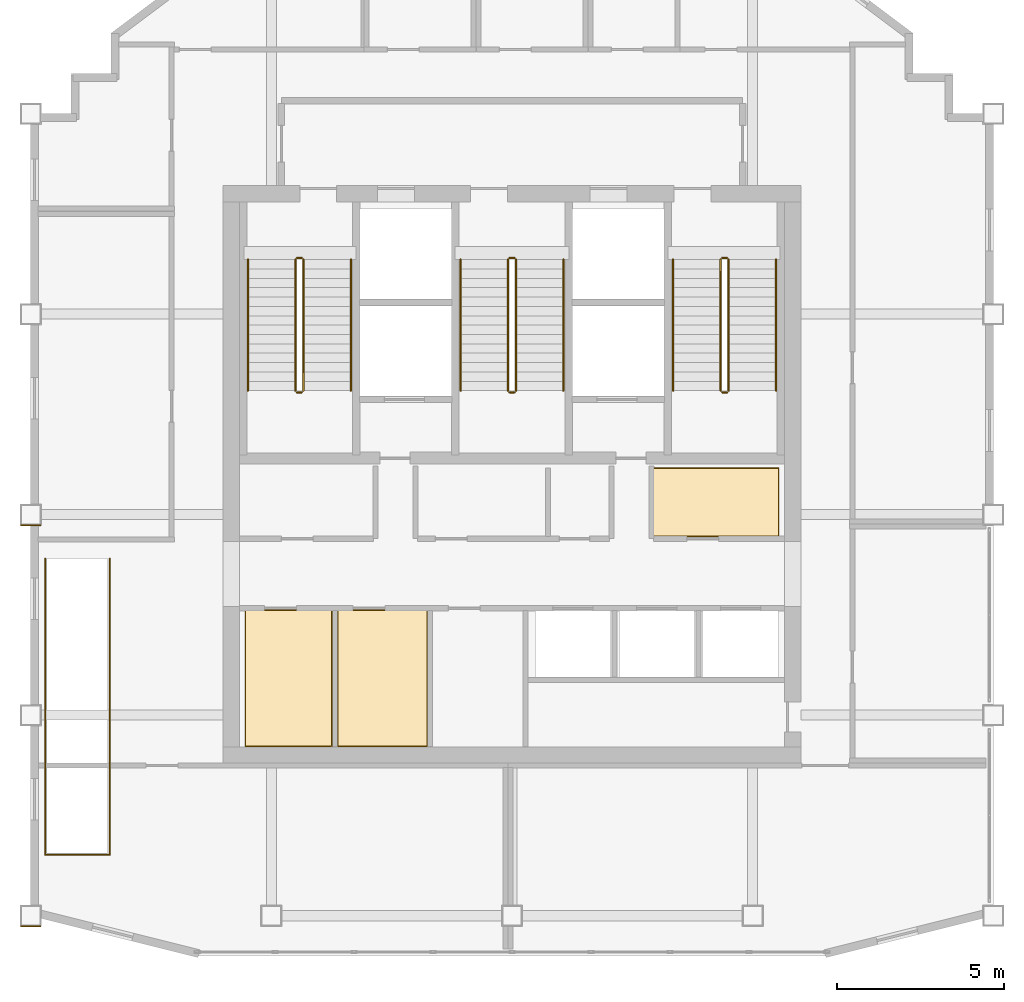
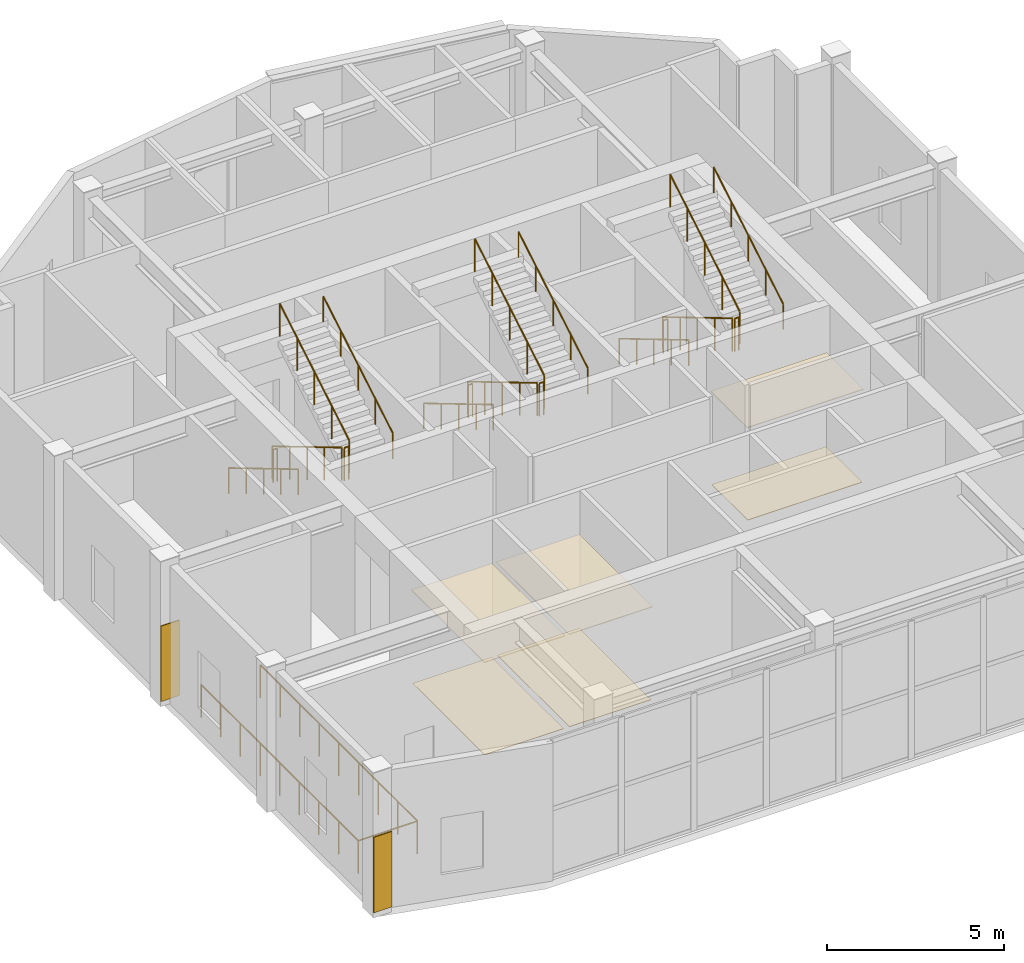
# One storey, part 10 of 11: 19 railings, 8 coverings.
"""IFC4 building model written with IfcOpenShell, lengths in metres."""

from ifc_helpers import new_model, si_unit, direction, frame, origin, origin_2d, place, context, subcontext, project, spatial, polyline, rectangle, circle, outline, extrude, material, layer, layer_set, type_object, element, save


model = new_model("IFC4")

# Units and contexts
model_context = context("Model", 3, precision=1e-05, world=origin(), true_north=direction((0.0, 1.0)))
body_context = subcontext(model_context, "Body", "Model", "MODEL_VIEW")
ifc_project = project(units=[si_unit("LENGTHUNIT", "METRE"), si_unit("AREAUNIT", "SQUARE_METRE"), si_unit("VOLUMEUNIT", "CUBIC_METRE"), si_unit("PLANEANGLEUNIT", "RADIAN"), si_unit("MASSUNIT", "GRAM", prefix="KILO")], contexts=[model_context])

# Site, building, storey
site_placement = place(None, origin())
site = spatial("IfcSite", under=ifc_project, at=site_placement, CompositionType="ELEMENT")
building_placement = place(site_placement, origin())
building = spatial("IfcBuilding", under=site, at=building_placement, Name="Haolan Belvedere Tower", CompositionType="ELEMENT")
storey_placement = place(building_placement, frame((0.0, 0.0, 323.199951171875)))
storey = spatial("IfcBuildingStorey", under=building, at=storey_placement, Name="L81", CompositionType="ELEMENT", Elevation=323.199951171875)

# Coverings
ifc_material_1 = material(Name="Acoustic mineral-fibre suspended ceiling system", Category="masonry")
ifc_layer_1 = layer(ifc_material_1, 0.02490234375, Name="Acoustic mineral-fibre suspended ceiling system")
ifc_layer_set_1 = layer_set([ifc_layer_1], Name="Acoustic mineral-fibre suspended ceiling system")
covering_type_1 = type_object("IfcCoveringType", Name="COV-CEIL-AC25", PredefinedType="CEILING", material=ifc_layer_set_1)
covering_1_placement = place(storey_placement, frame((0.0, 0.0, 3.199951171875)))
element("IfcCovering", 1, at=covering_1_placement, inside=storey, type_object=covering_type_1, Name="L81 suspended acoustic ceiling L81-REUSE-PH23.1", PredefinedType="CEILING", context=body_context, shape_type="SweptSolid", body=[
    extrude(outline(polyline([(42.60791015625, 32.93798828125), (46.39208984375, 32.93798828125), (46.39208984375, 35.011962890625), (42.60791015625, 35.011962890625), (42.60791015625, 32.93798828125)])), origin(), (0.0, 0.0, 1.0), 0.025146484375),
])
covering_2_placement = place(storey_placement, frame((0.0, 0.0, 3.199951171875)))
element("IfcCovering", 2, at=covering_2_placement, inside=storey, type_object=covering_type_1, Name="L81 suspended acoustic ceiling L81-REUSE-PM-A.2", PredefinedType="CEILING", context=body_context, shape_type="SweptSolid", body=[
    extrude(outline(polyline([(30.407958984375, 26.64794921875), (33.031982421875, 26.64794921875), (33.031982421875, 30.761962890625), (30.407958984375, 30.761962890625), (30.407958984375, 26.64794921875)])), origin(), (0.0, 0.0, 1.0), 0.025146484375),
])
covering_3_placement = place(storey_placement, frame((0.0, 0.0, 3.199951171875)))
element("IfcCovering", 3, at=covering_3_placement, inside=storey, type_object=covering_type_1, Name="L81 suspended acoustic ceiling L81-REUSE-PM-B.3", PredefinedType="CEILING", context=body_context, shape_type="SweptSolid", body=[
    extrude(outline(polyline([(33.16796875, 26.64794921875), (35.882080078125, 26.64794921875), (35.882080078125, 30.761962890625), (33.16796875, 30.761962890625), (33.16796875, 26.64794921875)])), origin(), (0.0, 0.0, 1.0), 0.025146484375),
])
ifc_material_2 = material(Name="Pale champagne-silver anodised aluminium rainscreen cladding", Category="aluminium")
ifc_layer_2 = layer(ifc_material_2, 0.034912109375, Name="Pale champagne-silver anodised aluminium rainscreen cladding")
ifc_layer_set_2 = layer_set([ifc_layer_2], Name="Pale champagne-silver anodised aluminium rainscreen cladding")
covering_type_2 = type_object("IfcCoveringType", Name="COV-CLAD-35", PredefinedType="CLADDING", material=ifc_layer_set_2)
for number, where, z_axis, x_axis, name in (
    (4, (24.0, 21.284912109375, 0.199951171875), (0.0, 0.0, 1.0), (1.0, 0.0, 0.0), "L81 pale-metal pier rainscreen cladding 1"),
    (5, (24.0, 33.284912109375, 0.199951171875), (0.0, 0.0, 1.0), (1.0, 0.0, 0.0), "L81 pale-metal pier rainscreen cladding 2"),
):
    element("IfcCovering", number, at=place(storey_placement, frame(where, z_axis=z_axis, x_axis=x_axis)), inside=storey, type_object=covering_type_2, Name=name, PredefinedType="CLADDING", context=body_context, shape_type="SweptSolid", body=[
        extrude(rectangle(XDim=0.60009765625, YDim=0.034912109375, at=origin_2d()), origin(), (0.0, 0.0, 1.0), 2.60009765625),
    ])
ifc_material_3 = material(Name="Honed terrazzo and natural granite stone flooring", Category="masonry")
ifc_layer_3 = layer(ifc_material_3, 0.014892578125, Name="Honed terrazzo and natural granite stone flooring")
ifc_layer_set_3 = layer_set([ifc_layer_3], Name="Honed terrazzo and natural granite stone flooring")
covering_type_3 = type_object("IfcCoveringType", Name="COV-FLR-STN30", PredefinedType="FLOORING", material=ifc_layer_set_3)
covering_4_placement = place(storey_placement, origin())
element("IfcCovering", 6, at=covering_4_placement, inside=storey, type_object=covering_type_3, Name="L81 polished stone floor finish L81-REUSE-PH23.1", PredefinedType="FLOORING", context=body_context, shape_type="SweptSolid", body=[
    extrude(outline(polyline([(46.366943359375, 32.962890625), (46.366943359375, 34.987060546875), (42.633056640625, 34.987060546875), (42.633056640625, 32.962890625), (46.366943359375, 32.962890625)])), origin(), (0.0, 0.0, 1.0), 0.01513671875),
])
covering_5_placement = place(storey_placement, origin())
element("IfcCovering", 7, at=covering_5_placement, inside=storey, type_object=covering_type_3, Name="L81 polished stone floor finish L81-REUSE-PM-A.2", PredefinedType="FLOORING", context=body_context, shape_type="SweptSolid", body=[
    extrude(outline(polyline([(33.007080078125, 26.673095703125), (33.007080078125, 30.737060546875), (30.43310546875, 30.737060546875), (30.43310546875, 26.673095703125), (33.007080078125, 26.673095703125)])), origin(), (0.0, 0.0, 1.0), 0.01513671875),
])
covering_6_placement = place(storey_placement, origin())
element("IfcCovering", 8, at=covering_6_placement, inside=storey, type_object=covering_type_3, Name="L81 polished stone floor finish L81-REUSE-PM-B.3", PredefinedType="FLOORING", context=body_context, shape_type="SweptSolid", body=[
    extrude(outline(polyline([(35.85693359375, 26.673095703125), (35.85693359375, 30.737060546875), (33.193115234375, 30.737060546875), (33.193115234375, 26.673095703125), (35.85693359375, 26.673095703125)])), origin(), (0.0, 0.0, 1.0), 0.01513671875),
])

# Railings
ifc_material_4 = material(Name="Brushed stainless steel 304", Category="steel")
railing_type_1 = type_object("IfcRailingType", Name="RL-STAIR-GRD-1150", PredefinedType="GUARDRAIL", material=ifc_material_4)
railing_1_placement = place(storey_placement, frame((31.919921875, 41.22998046875, 0.166748046875)))
element("IfcRailing", 9, at=railing_1_placement, inside=storey, type_object=railing_type_1, Name="L81 ST1 stair guard 1", PredefinedType="GUARDRAIL", context=body_context, shape_type="SweptSolid", body=[
    extrude(circle(Radius=0.02392578125, at=origin_2d()), frame((0.0, 0.0, 1.1259765625), z_axis=(0.0, -0.859296244711, 0.511478214419), x_axis=(1.0, 0.0, 0.0)), (0.0, 0.0, 1.0), 4.561767578125),
    extrude(circle(Radius=0.02099609375, at=origin_2d()), origin(), (0.0, 0.0, 1.0), 1.101806640625),
    extrude(circle(Radius=0.02099609375, at=origin_2d()), frame((0.0, -0.97998046875, 0.583251953125)), (0.0, 0.0, 1.0), 1.101806640625),
    extrude(circle(Radius=0.02099609375, at=origin_2d()), frame((0.0, -1.9599609375, 1.16650390625)), (0.0, 0.0, 1.0), 1.101806640625),
    extrude(circle(Radius=0.02099609375, at=origin_2d()), frame((0.0, -2.93994140625, 1.75)), (0.0, 0.0, 1.0), 1.101806640625),
    extrude(circle(Radius=0.02099609375, at=origin_2d()), frame((0.0, -3.919921875, 2.333251953125)), (0.0, 0.0, 1.0), 1.101806640625),
])
railing_2_placement = place(storey_placement, frame((31.969970703125, 37.260009765625, 2.5)))
element("IfcRailing", 10, at=railing_2_placement, inside=storey, type_object=railing_type_1, Name="L81 ST1 stair guard 2", PredefinedType="GUARDRAIL", context=body_context, shape_type="SweptSolid", body=[
    extrude(circle(Radius=0.02392578125, at=origin_2d()), frame((0.0, 0.0, 1.1259765625), z_axis=(1.0, 0.0, 0.0), x_axis=(0.0, 1.0, 0.0)), (0.0, 0.0, 1.0), 0.14013671875),
    extrude(circle(Radius=0.02099609375, at=origin_2d()), origin(), (0.0, 0.0, 1.0), 1.101806640625),
    extrude(circle(Radius=0.02099609375, at=origin_2d()), frame((0.14013671875, 0.0, 0.0)), (0.0, 0.0, 1.0), 1.101806640625),
])
railing_3_placement = place(storey_placement, frame((32.159912109375, 37.31005859375, 2.666748046875)))
element("IfcRailing", 11, at=railing_3_placement, inside=storey, type_object=railing_type_1, Name="L81 ST1 stair guard 3", PredefinedType="GUARDRAIL", context=body_context, shape_type="SweptSolid", body=[
    extrude(circle(Radius=0.02392578125, at=origin_2d()), frame((0.0, 0.0, 1.1259765625), z_axis=(0.0, 0.859296244711, 0.511478214419), x_axis=(-1.0, 0.0, 0.0)), (0.0, 0.0, 1.0), 4.561767578125),
    extrude(circle(Radius=0.02099609375, at=origin_2d()), origin(), (0.0, 0.0, 1.0), 1.101806640625),
    extrude(circle(Radius=0.02099609375, at=origin_2d()), frame((0.0, 0.97998046875, 0.583251953125)), (0.0, 0.0, 1.0), 1.101806640625),
    extrude(circle(Radius=0.02099609375, at=origin_2d()), frame((0.0, 1.9599609375, 1.16650390625)), (0.0, 0.0, 1.0), 1.101806640625),
    extrude(circle(Radius=0.02099609375, at=origin_2d()), frame((0.0, 2.93994140625, 1.75)), (0.0, 0.0, 1.0), 1.101806640625),
    extrude(circle(Radius=0.02099609375, at=origin_2d()), frame((0.0, 3.919921875, 2.333251953125)), (0.0, 0.0, 1.0), 1.101806640625),
])
railing_4_placement = place(storey_placement, frame((31.969970703125, 41.280029296875, 0.0)))
element("IfcRailing", 12, at=railing_4_placement, inside=storey, type_object=railing_type_1, Name="L81 ST1 stair guard 4", PredefinedType="GUARDRAIL", context=body_context, shape_type="SweptSolid", body=[
    extrude(circle(Radius=0.02392578125, at=origin_2d()), frame((0.0, 0.0, 1.1259765625), z_axis=(1.0, 0.0, 0.0), x_axis=(0.0, 1.0, 0.0)), (0.0, 0.0, 1.0), 0.14013671875),
    extrude(circle(Radius=0.02099609375, at=origin_2d()), origin(), (0.0, 0.0, 1.0), 1.101806640625),
    extrude(circle(Radius=0.02099609375, at=origin_2d()), frame((0.14013671875, 0.0, 0.0)), (0.0, 0.0, 1.0), 1.101806640625),
])
railing_5_placement = place(storey_placement, frame((38.280029296875, 41.22998046875, 0.166748046875)))
element("IfcRailing", 13, at=railing_5_placement, inside=storey, type_object=railing_type_1, Name="L81 ST3 stair guard 1", PredefinedType="GUARDRAIL", context=body_context, shape_type="SweptSolid", body=[
    extrude(circle(Radius=0.02392578125, at=origin_2d()), frame((0.0, 0.0, 1.1259765625), z_axis=(0.0, -0.859296244711, 0.511478214419), x_axis=(1.0, 0.0, 0.0)), (0.0, 0.0, 1.0), 4.561767578125),
    extrude(circle(Radius=0.02099609375, at=origin_2d()), origin(), (0.0, 0.0, 1.0), 1.101806640625),
    extrude(circle(Radius=0.02099609375, at=origin_2d()), frame((0.0, -0.97998046875, 0.583251953125)), (0.0, 0.0, 1.0), 1.101806640625),
    extrude(circle(Radius=0.02099609375, at=origin_2d()), frame((0.0, -1.9599609375, 1.16650390625)), (0.0, 0.0, 1.0), 1.101806640625),
    extrude(circle(Radius=0.02099609375, at=origin_2d()), frame((0.0, -2.93994140625, 1.75)), (0.0, 0.0, 1.0), 1.101806640625),
    extrude(circle(Radius=0.02099609375, at=origin_2d()), frame((0.0, -3.919921875, 2.333251953125)), (0.0, 0.0, 1.0), 1.101806640625),
])
railing_6_placement = place(storey_placement, frame((38.330078125, 37.260009765625, 2.5)))
element("IfcRailing", 14, at=railing_6_placement, inside=storey, type_object=railing_type_1, Name="L81 ST3 stair guard 2", PredefinedType="GUARDRAIL", context=body_context, shape_type="SweptSolid", body=[
    extrude(circle(Radius=0.02392578125, at=origin_2d()), frame((0.0, 0.0, 1.1259765625), z_axis=(1.0, 0.0, 0.0), x_axis=(0.0, 1.0, 0.0)), (0.0, 0.0, 1.0), 0.139892578125),
    extrude(circle(Radius=0.02099609375, at=origin_2d()), origin(), (0.0, 0.0, 1.0), 1.101806640625),
    extrude(circle(Radius=0.02099609375, at=origin_2d()), frame((0.139892578125, 0.0, 0.0)), (0.0, 0.0, 1.0), 1.101806640625),
])
railing_7_placement = place(storey_placement, frame((38.52001953125, 37.31005859375, 2.666748046875)))
element("IfcRailing", 15, at=railing_7_placement, inside=storey, type_object=railing_type_1, Name="L81 ST3 stair guard 3", PredefinedType="GUARDRAIL", context=body_context, shape_type="SweptSolid", body=[
    extrude(circle(Radius=0.02392578125, at=origin_2d()), frame((0.0, 0.0, 1.1259765625), z_axis=(0.0, 0.859296244711, 0.511478214419), x_axis=(-1.0, 0.0, 0.0)), (0.0, 0.0, 1.0), 4.561767578125),
    extrude(circle(Radius=0.02099609375, at=origin_2d()), origin(), (0.0, 0.0, 1.0), 1.101806640625),
    extrude(circle(Radius=0.02099609375, at=origin_2d()), frame((0.0, 0.97998046875, 0.583251953125)), (0.0, 0.0, 1.0), 1.101806640625),
    extrude(circle(Radius=0.02099609375, at=origin_2d()), frame((0.0, 1.9599609375, 1.16650390625)), (0.0, 0.0, 1.0), 1.101806640625),
    extrude(circle(Radius=0.02099609375, at=origin_2d()), frame((0.0, 2.93994140625, 1.75)), (0.0, 0.0, 1.0), 1.101806640625),
    extrude(circle(Radius=0.02099609375, at=origin_2d()), frame((0.0, 3.919921875, 2.333251953125)), (0.0, 0.0, 1.0), 1.101806640625),
])
railing_8_placement = place(storey_placement, frame((38.330078125, 41.280029296875, 0.0)))
element("IfcRailing", 16, at=railing_8_placement, inside=storey, type_object=railing_type_1, Name="L81 ST3 stair guard 4", PredefinedType="GUARDRAIL", context=body_context, shape_type="SweptSolid", body=[
    extrude(circle(Radius=0.02392578125, at=origin_2d()), frame((0.0, 0.0, 1.1259765625), z_axis=(1.0, 0.0, 0.0), x_axis=(0.0, 1.0, 0.0)), (0.0, 0.0, 1.0), 0.139892578125),
    extrude(circle(Radius=0.02099609375, at=origin_2d()), origin(), (0.0, 0.0, 1.0), 1.101806640625),
    extrude(circle(Radius=0.02099609375, at=origin_2d()), frame((0.139892578125, 0.0, 0.0)), (0.0, 0.0, 1.0), 1.101806640625),
])
railing_9_placement = place(storey_placement, frame((44.639892578125, 41.22998046875, 0.166748046875)))
element("IfcRailing", 17, at=railing_9_placement, inside=storey, type_object=railing_type_1, Name="L81 ST2 stair guard 1", PredefinedType="GUARDRAIL", context=body_context, shape_type="SweptSolid", body=[
    extrude(circle(Radius=0.02392578125, at=origin_2d()), frame((0.0, 0.0, 1.1259765625), z_axis=(0.0, -0.859296244711, 0.511478214419), x_axis=(1.0, 0.0, 0.0)), (0.0, 0.0, 1.0), 4.561767578125),
    extrude(circle(Radius=0.02099609375, at=origin_2d()), origin(), (0.0, 0.0, 1.0), 1.101806640625),
    extrude(circle(Radius=0.02099609375, at=origin_2d()), frame((0.0, -0.97998046875, 0.583251953125)), (0.0, 0.0, 1.0), 1.101806640625),
    extrude(circle(Radius=0.02099609375, at=origin_2d()), frame((0.0, -1.9599609375, 1.16650390625)), (0.0, 0.0, 1.0), 1.101806640625),
    extrude(circle(Radius=0.02099609375, at=origin_2d()), frame((0.0, -2.93994140625, 1.75)), (0.0, 0.0, 1.0), 1.101806640625),
    extrude(circle(Radius=0.02099609375, at=origin_2d()), frame((0.0, -3.919921875, 2.333251953125)), (0.0, 0.0, 1.0), 1.101806640625),
])
railing_10_placement = place(storey_placement, frame((44.68994140625, 37.260009765625, 2.5)))
element("IfcRailing", 18, at=railing_10_placement, inside=storey, type_object=railing_type_1, Name="L81 ST2 stair guard 2", PredefinedType="GUARDRAIL", context=body_context, shape_type="SweptSolid", body=[
    extrude(circle(Radius=0.02392578125, at=origin_2d()), frame((0.0, 0.0, 1.1259765625), z_axis=(1.0, 0.0, 0.0), x_axis=(0.0, 1.0, 0.0)), (0.0, 0.0, 1.0), 0.14013671875),
    extrude(circle(Radius=0.02099609375, at=origin_2d()), origin(), (0.0, 0.0, 1.0), 1.101806640625),
    extrude(circle(Radius=0.02099609375, at=origin_2d()), frame((0.14013671875, 0.0, 0.0)), (0.0, 0.0, 1.0), 1.101806640625),
])
railing_11_placement = place(storey_placement, frame((44.8798828125, 37.31005859375, 2.666748046875)))
element("IfcRailing", 19, at=railing_11_placement, inside=storey, type_object=railing_type_1, Name="L81 ST2 stair guard 3", PredefinedType="GUARDRAIL", context=body_context, shape_type="SweptSolid", body=[
    extrude(circle(Radius=0.02392578125, at=origin_2d()), frame((0.0, 0.0, 1.1259765625), z_axis=(0.0, 0.859296244711, 0.511478214419), x_axis=(-1.0, 0.0, 0.0)), (0.0, 0.0, 1.0), 4.561767578125),
    extrude(circle(Radius=0.02099609375, at=origin_2d()), origin(), (0.0, 0.0, 1.0), 1.101806640625),
    extrude(circle(Radius=0.02099609375, at=origin_2d()), frame((0.0, 0.97998046875, 0.583251953125)), (0.0, 0.0, 1.0), 1.101806640625),
    extrude(circle(Radius=0.02099609375, at=origin_2d()), frame((0.0, 1.9599609375, 1.16650390625)), (0.0, 0.0, 1.0), 1.101806640625),
    extrude(circle(Radius=0.02099609375, at=origin_2d()), frame((0.0, 2.93994140625, 1.75)), (0.0, 0.0, 1.0), 1.101806640625),
    extrude(circle(Radius=0.02099609375, at=origin_2d()), frame((0.0, 3.919921875, 2.333251953125)), (0.0, 0.0, 1.0), 1.101806640625),
])
railing_12_placement = place(storey_placement, frame((44.68994140625, 41.280029296875, 0.0)))
element("IfcRailing", 20, at=railing_12_placement, inside=storey, type_object=railing_type_1, Name="L81 ST2 stair guard 4", PredefinedType="GUARDRAIL", context=body_context, shape_type="SweptSolid", body=[
    extrude(circle(Radius=0.02392578125, at=origin_2d()), frame((0.0, 0.0, 1.1259765625), z_axis=(1.0, 0.0, 0.0), x_axis=(0.0, 1.0, 0.0)), (0.0, 0.0, 1.0), 0.14013671875),
    extrude(circle(Radius=0.02099609375, at=origin_2d()), origin(), (0.0, 0.0, 1.0), 1.101806640625),
    extrude(circle(Radius=0.02099609375, at=origin_2d()), frame((0.14013671875, 0.0, 0.0)), (0.0, 0.0, 1.0), 1.101806640625),
])
railing_13_placement = place(storey_placement, frame((24.43505859375, 32.284912109375, 0.0)))
element("IfcRailing", 21, at=railing_13_placement, inside=storey, type_object=railing_type_1, Name="L81 ST10 upper well perimeter guard", PredefinedType="GUARDRAIL", context=body_context, shape_type="SweptSolid", body=[
    extrude(circle(Radius=0.02392578125, at=origin_2d()), frame((0.0, 0.0, 1.1259765625), z_axis=(0.0, -1.0, 0.0), x_axis=(1.0, 0.0, 0.0)), (0.0, 0.0, 1.0), 8.864990234375),
    extrude(circle(Radius=0.02392578125, at=origin_2d()), frame((0.0, -8.864990234375, 1.1259765625), z_axis=(1.0, 0.0, 0.0), x_axis=(0.0, 1.0, 0.0)), (0.0, 0.0, 1.0), 1.929931640625),
    extrude(circle(Radius=0.02392578125, at=origin_2d()), frame((1.929931640625, -8.864990234375, 1.1259765625), z_axis=(0.0, 1.0, 0.0), x_axis=(-1.0, 0.0, 0.0)), (0.0, 0.0, 1.0), 8.864990234375),
    extrude(circle(Radius=0.02099609375, at=origin_2d()), origin(), (0.0, 0.0, 1.0), 1.101806640625),
    extrude(circle(Radius=0.02099609375, at=origin_2d()), frame((0.0, -1.108154296875, 0.0)), (0.0, 0.0, 1.0), 1.101806640625),
    extrude(circle(Radius=0.02099609375, at=origin_2d()), frame((0.0, -2.21630859375, 0.0)), (0.0, 0.0, 1.0), 1.101806640625),
    extrude(circle(Radius=0.02099609375, at=origin_2d()), frame((0.0, -3.324462890625, 0.0)), (0.0, 0.0, 1.0), 1.101806640625),
    extrude(circle(Radius=0.02099609375, at=origin_2d()), frame((0.0, -4.4326171875, 0.0)), (0.0, 0.0, 1.0), 1.101806640625),
    extrude(circle(Radius=0.02099609375, at=origin_2d()), frame((0.0, -5.54052734375, 0.0)), (0.0, 0.0, 1.0), 1.101806640625),
    extrude(circle(Radius=0.02099609375, at=origin_2d()), frame((0.0, -6.648681640625, 0.0)), (0.0, 0.0, 1.0), 1.101806640625),
    extrude(circle(Radius=0.02099609375, at=origin_2d()), frame((0.0, -7.7568359375, 0.0)), (0.0, 0.0, 1.0), 1.101806640625),
    extrude(circle(Radius=0.02099609375, at=origin_2d()), frame((0.0, -8.864990234375, 0.0)), (0.0, 0.0, 1.0), 1.101806640625),
    extrude(circle(Radius=0.02099609375, at=origin_2d()), frame((0.96484375, -8.864990234375, 0.0)), (0.0, 0.0, 1.0), 1.101806640625),
    extrude(circle(Radius=0.02099609375, at=origin_2d()), frame((1.929931640625, -8.864990234375, 0.0)), (0.0, 0.0, 1.0), 1.101806640625),
    extrude(circle(Radius=0.02099609375, at=origin_2d()), frame((1.929931640625, -7.7568359375, 0.0)), (0.0, 0.0, 1.0), 1.101806640625),
    extrude(circle(Radius=0.02099609375, at=origin_2d()), frame((1.929931640625, -6.648681640625, 0.0)), (0.0, 0.0, 1.0), 1.101806640625),
    extrude(circle(Radius=0.02099609375, at=origin_2d()), frame((1.929931640625, -5.54052734375, 0.0)), (0.0, 0.0, 1.0), 1.101806640625),
    extrude(circle(Radius=0.02099609375, at=origin_2d()), frame((1.929931640625, -4.4326171875, 0.0)), (0.0, 0.0, 1.0), 1.101806640625),
    extrude(circle(Radius=0.02099609375, at=origin_2d()), frame((1.929931640625, -3.324462890625, 0.0)), (0.0, 0.0, 1.0), 1.101806640625),
    extrude(circle(Radius=0.02099609375, at=origin_2d()), frame((1.929931640625, -2.21630859375, 0.0)), (0.0, 0.0, 1.0), 1.101806640625),
    extrude(circle(Radius=0.02099609375, at=origin_2d()), frame((1.929931640625, -1.108154296875, 0.0)), (0.0, 0.0, 1.0), 1.101806640625),
    extrude(circle(Radius=0.02099609375, at=origin_2d()), frame((1.929931640625, 0.0, 0.0)), (0.0, 0.0, 1.0), 1.101806640625),
])
railing_type_2 = type_object("IfcRailingType", Name="RL-STAIR-HND-900", PredefinedType="HANDRAIL", material=ifc_material_4)
railing_14_placement = place(storey_placement, frame((30.5, 41.22998046875, 0.166748046875)))
element("IfcRailing", 22, at=railing_14_placement, inside=storey, type_object=railing_type_2, Name="L81 ST1 stair handrail 1", PredefinedType="HANDRAIL", context=body_context, shape_type="SweptSolid", body=[
    extrude(circle(Radius=0.02392578125, at=origin_2d()), frame((0.0, 0.0, 0.8759765625), z_axis=(0.0, -0.859296244711, 0.511478214419), x_axis=(1.0, 0.0, 0.0)), (0.0, 0.0, 1.0), 4.561767578125),
    extrude(circle(Radius=0.02099609375, at=origin_2d()), origin(), (0.0, 0.0, 1.0), 0.851806640625),
    extrude(circle(Radius=0.02099609375, at=origin_2d()), frame((0.0, -0.97998046875, 0.583251953125)), (0.0, 0.0, 1.0), 0.851806640625),
    extrude(circle(Radius=0.02099609375, at=origin_2d()), frame((0.0, -1.9599609375, 1.16650390625)), (0.0, 0.0, 1.0), 0.851806640625),
    extrude(circle(Radius=0.02099609375, at=origin_2d()), frame((0.0, -2.93994140625, 1.75)), (0.0, 0.0, 1.0), 0.851806640625),
    extrude(circle(Radius=0.02099609375, at=origin_2d()), frame((0.0, -3.919921875, 2.333251953125)), (0.0, 0.0, 1.0), 0.851806640625),
])
railing_15_placement = place(storey_placement, frame((33.580078125, 37.31005859375, 2.666748046875)))
element("IfcRailing", 23, at=railing_15_placement, inside=storey, type_object=railing_type_2, Name="L81 ST1 stair handrail 2", PredefinedType="HANDRAIL", context=body_context, shape_type="SweptSolid", body=[
    extrude(circle(Radius=0.02392578125, at=origin_2d()), frame((0.0, 0.0, 0.8759765625), z_axis=(0.0, 0.859296244711, 0.511478214419), x_axis=(-1.0, 0.0, 0.0)), (0.0, 0.0, 1.0), 4.561767578125),
    extrude(circle(Radius=0.02099609375, at=origin_2d()), origin(), (0.0, 0.0, 1.0), 0.851806640625),
    extrude(circle(Radius=0.02099609375, at=origin_2d()), frame((0.0, 0.97998046875, 0.583251953125)), (0.0, 0.0, 1.0), 0.851806640625),
    extrude(circle(Radius=0.02099609375, at=origin_2d()), frame((0.0, 1.9599609375, 1.16650390625)), (0.0, 0.0, 1.0), 0.851806640625),
    extrude(circle(Radius=0.02099609375, at=origin_2d()), frame((0.0, 2.93994140625, 1.75)), (0.0, 0.0, 1.0), 0.851806640625),
    extrude(circle(Radius=0.02099609375, at=origin_2d()), frame((0.0, 3.919921875, 2.333251953125)), (0.0, 0.0, 1.0), 0.851806640625),
])
railing_16_placement = place(storey_placement, frame((36.860107421875, 41.22998046875, 0.166748046875)))
element("IfcRailing", 24, at=railing_16_placement, inside=storey, type_object=railing_type_2, Name="L81 ST3 stair handrail 1", PredefinedType="HANDRAIL", context=body_context, shape_type="SweptSolid", body=[
    extrude(circle(Radius=0.02392578125, at=origin_2d()), frame((0.0, 0.0, 0.8759765625), z_axis=(0.0, -0.859296244711, 0.511478214419), x_axis=(1.0, 0.0, 0.0)), (0.0, 0.0, 1.0), 4.561767578125),
    extrude(circle(Radius=0.02099609375, at=origin_2d()), origin(), (0.0, 0.0, 1.0), 0.851806640625),
    extrude(circle(Radius=0.02099609375, at=origin_2d()), frame((0.0, -0.97998046875, 0.583251953125)), (0.0, 0.0, 1.0), 0.851806640625),
    extrude(circle(Radius=0.02099609375, at=origin_2d()), frame((0.0, -1.9599609375, 1.16650390625)), (0.0, 0.0, 1.0), 0.851806640625),
    extrude(circle(Radius=0.02099609375, at=origin_2d()), frame((0.0, -2.93994140625, 1.75)), (0.0, 0.0, 1.0), 0.851806640625),
    extrude(circle(Radius=0.02099609375, at=origin_2d()), frame((0.0, -3.919921875, 2.333251953125)), (0.0, 0.0, 1.0), 0.851806640625),
])
railing_17_placement = place(storey_placement, frame((39.93994140625, 37.31005859375, 2.666748046875)))
element("IfcRailing", 25, at=railing_17_placement, inside=storey, type_object=railing_type_2, Name="L81 ST3 stair handrail 2", PredefinedType="HANDRAIL", context=body_context, shape_type="SweptSolid", body=[
    extrude(circle(Radius=0.02392578125, at=origin_2d()), frame((0.0, 0.0, 0.8759765625), z_axis=(0.0, 0.859296244711, 0.511478214419), x_axis=(-1.0, 0.0, 0.0)), (0.0, 0.0, 1.0), 4.561767578125),
    extrude(circle(Radius=0.02099609375, at=origin_2d()), origin(), (0.0, 0.0, 1.0), 0.851806640625),
    extrude(circle(Radius=0.02099609375, at=origin_2d()), frame((0.0, 0.97998046875, 0.583251953125)), (0.0, 0.0, 1.0), 0.851806640625),
    extrude(circle(Radius=0.02099609375, at=origin_2d()), frame((0.0, 1.9599609375, 1.16650390625)), (0.0, 0.0, 1.0), 0.851806640625),
    extrude(circle(Radius=0.02099609375, at=origin_2d()), frame((0.0, 2.93994140625, 1.75)), (0.0, 0.0, 1.0), 0.851806640625),
    extrude(circle(Radius=0.02099609375, at=origin_2d()), frame((0.0, 3.919921875, 2.333251953125)), (0.0, 0.0, 1.0), 0.851806640625),
])
railing_18_placement = place(storey_placement, frame((43.219970703125, 41.22998046875, 0.166748046875)))
element("IfcRailing", 26, at=railing_18_placement, inside=storey, type_object=railing_type_2, Name="L81 ST2 stair handrail 1", PredefinedType="HANDRAIL", context=body_context, shape_type="SweptSolid", body=[
    extrude(circle(Radius=0.02392578125, at=origin_2d()), frame((0.0, 0.0, 0.8759765625), z_axis=(0.0, -0.859296244711, 0.511478214419), x_axis=(1.0, 0.0, 0.0)), (0.0, 0.0, 1.0), 4.561767578125),
    extrude(circle(Radius=0.02099609375, at=origin_2d()), origin(), (0.0, 0.0, 1.0), 0.851806640625),
    extrude(circle(Radius=0.02099609375, at=origin_2d()), frame((0.0, -0.97998046875, 0.583251953125)), (0.0, 0.0, 1.0), 0.851806640625),
    extrude(circle(Radius=0.02099609375, at=origin_2d()), frame((0.0, -1.9599609375, 1.16650390625)), (0.0, 0.0, 1.0), 0.851806640625),
    extrude(circle(Radius=0.02099609375, at=origin_2d()), frame((0.0, -2.93994140625, 1.75)), (0.0, 0.0, 1.0), 0.851806640625),
    extrude(circle(Radius=0.02099609375, at=origin_2d()), frame((0.0, -3.919921875, 2.333251953125)), (0.0, 0.0, 1.0), 0.851806640625),
])
railing_19_placement = place(storey_placement, frame((46.300048828125, 37.31005859375, 2.666748046875)))
element("IfcRailing", 27, at=railing_19_placement, inside=storey, type_object=railing_type_2, Name="L81 ST2 stair handrail 2", PredefinedType="HANDRAIL", context=body_context, shape_type="SweptSolid", body=[
    extrude(circle(Radius=0.02392578125, at=origin_2d()), frame((0.0, 0.0, 0.8759765625), z_axis=(0.0, 0.859296244711, 0.511478214419), x_axis=(-1.0, 0.0, 0.0)), (0.0, 0.0, 1.0), 4.561767578125),
    extrude(circle(Radius=0.02099609375, at=origin_2d()), origin(), (0.0, 0.0, 1.0), 0.851806640625),
    extrude(circle(Radius=0.02099609375, at=origin_2d()), frame((0.0, 0.97998046875, 0.583251953125)), (0.0, 0.0, 1.0), 0.851806640625),
    extrude(circle(Radius=0.02099609375, at=origin_2d()), frame((0.0, 1.9599609375, 1.16650390625)), (0.0, 0.0, 1.0), 0.851806640625),
    extrude(circle(Radius=0.02099609375, at=origin_2d()), frame((0.0, 2.93994140625, 1.75)), (0.0, 0.0, 1.0), 0.851806640625),
    extrude(circle(Radius=0.02099609375, at=origin_2d()), frame((0.0, 3.919921875, 2.333251953125)), (0.0, 0.0, 1.0), 0.851806640625),
])

save(model, "model.ifc")
